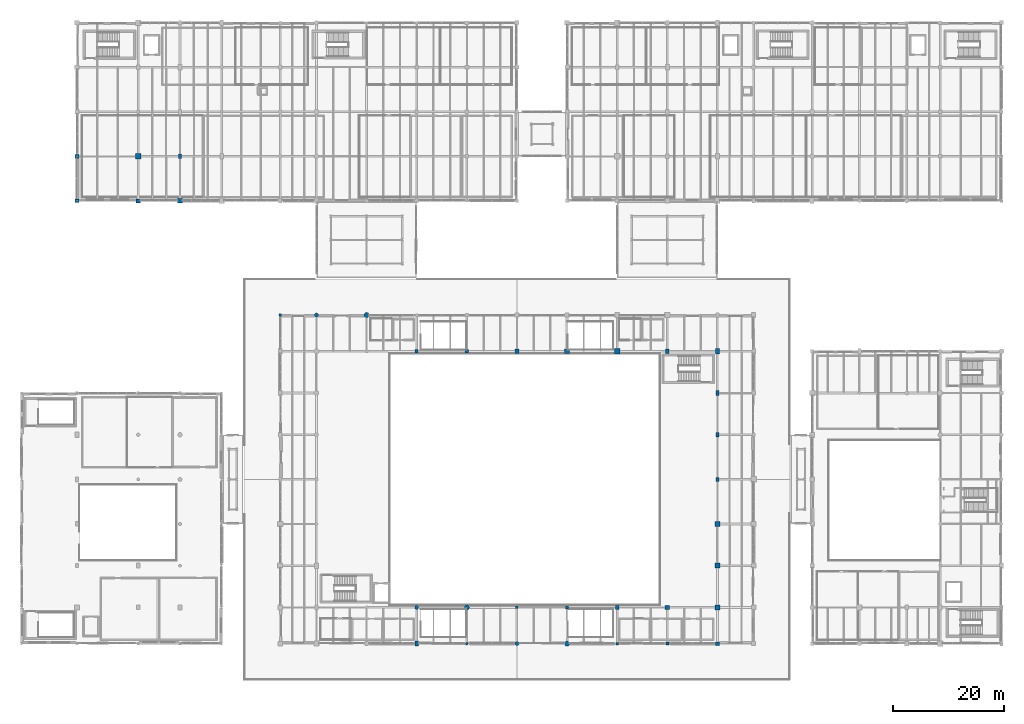
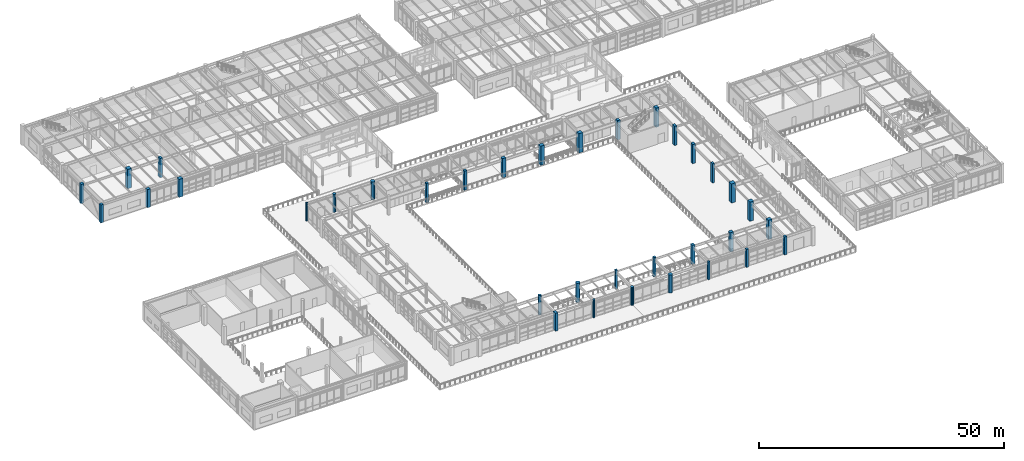
# One storey, part 5 of 200: 35 columns.
"""IFC4 building model written with IfcOpenShell, lengths in metres."""

from ifc_helpers import new_model, si_unit, direction, frame, origin, origin_2d, place, context, subcontext, project, spatial, rectangle, circle, extrude, material, material_profile, profile_set, type_object, element, save


model = new_model("IFC4")

# Units and contexts
model_context = context("Model", 3, precision=1e-05, world=origin(), true_north=direction((0.0, 1.0)))
body_context = subcontext(model_context, "Body", "Model", "MODEL_VIEW")
ifc_project = project(units=[si_unit("LENGTHUNIT", "METRE"), si_unit("AREAUNIT", "SQUARE_METRE"), si_unit("VOLUMEUNIT", "CUBIC_METRE"), si_unit("PLANEANGLEUNIT", "RADIAN"), si_unit("MASSUNIT", "GRAM", prefix="KILO"), si_unit("THERMODYNAMICTEMPERATUREUNIT", "KELVIN"), si_unit("POWERUNIT", "WATT")], contexts=[model_context])

# Site, building, storey
site_placement = place(None, origin())
site = spatial("IfcSite", under=ifc_project, at=site_placement, CompositionType="ELEMENT")
building_placement = place(site_placement, origin())
building = spatial("IfcBuilding", under=site, at=building_placement, Name="Tepalcoro Natatorium and Aquatics Centre", CompositionType="ELEMENT")
storey_placement = place(building_placement, frame((0.0, 0.0, 5.39990234375)))
storey = spatial("IfcBuildingStorey", under=building, at=storey_placement, Name="L01", CompositionType="ELEMENT", Elevation=5.39990234375)

# Columns
ifc_material = material(Name="Concrete C40/50 (fc 40 MPa)", Category="concrete")
ifc_material_profile_1 = material_profile(ifc_material, rectangle(XDim=0.449951171875, YDim=0.449951171875, at=origin_2d()), Name="RC450x450")
ifc_profile_set_1 = profile_set([ifc_material_profile_1], Name="Concrete C40/50 (fc 40 MPa)")
column_type_1 = type_object("IfcColumnType", Name="COL_RC_450x450", PredefinedType="COLUMN", material=ifc_profile_set_1)
column_1_placement = place(storey_placement, frame((89.0, 13.0, 0.0), z_axis=(0.0, 0.0, 1.0), x_axis=(1.0, 0.0, 0.0)))
element("IfcColumn", 1, at=column_1_placement, inside=storey, type_object=column_type_1, Name="V1 L01 Grid Column (89.0, 13.0)", PredefinedType="COLUMN", context=body_context, shape_type="SweptSolid", body=[
    extrude(rectangle(XDim=0.449951171875, YDim=0.449951171875, at=origin_2d()), origin(), (0.0, 0.0, 1.0), 4.800048828125),
])
column_2_placement = place(storey_placement, frame((107.0, 6.5, 0.0), z_axis=(0.0, 0.0, 1.0), x_axis=(1.0, 0.0, 0.0)))
element("IfcColumn", 2, at=column_2_placement, inside=storey, type_object=column_type_1, Name="V1 L01 Grid Column (107.0, 6.5)", PredefinedType="COLUMN", context=body_context, shape_type="SweptSolid", body=[
    extrude(rectangle(XDim=0.449951171875, YDim=0.449951171875, at=origin_2d()), origin(), (0.0, 0.0, 1.0), 4.47998046875),
])
ifc_material_profile_2 = material_profile(ifc_material, rectangle(XDim=0.5, YDim=0.699951171875, at=origin_2d()), Name="RC500x700")
ifc_profile_set_2 = profile_set([ifc_material_profile_2], Name="Concrete C40/50 (fc 40 MPa)")
column_type_2 = type_object("IfcColumnType", Name="COL_RC_500x700", PredefinedType="COLUMN", material=ifc_profile_set_2)
column_3_placement = place(storey_placement, frame((125.0, 36.0, 0.0), z_axis=(0.0, 0.0, 1.0), x_axis=(1.0, 0.0, 0.0)))
element("IfcColumn", 3, at=column_3_placement, inside=storey, type_object=column_type_2, Name="V1 L01 Grid Column (125.0, 36.0)", PredefinedType="COLUMN", context=body_context, shape_type="SweptSolid", body=[
    extrude(rectangle(XDim=0.5, YDim=0.699951171875, at=origin_2d()), origin(), (0.0, 0.0, 1.0), 4.800048828125),
])
ifc_material_profile_3 = material_profile(ifc_material, rectangle(XDim=0.550048828125, YDim=0.550048828125, at=origin_2d()), Name="RC550x550")
ifc_profile_set_3 = profile_set([ifc_material_profile_3], Name="Concrete C40/50 (fc 40 MPa)")
column_type_3 = type_object("IfcColumnType", Name="COL_RC_550x550", PredefinedType="COLUMN", material=ifc_profile_set_3)
for number, where, z_axis, x_axis, name in (
    (4, (71.0, 59.0, 0.0), (0.0, 0.0, 1.0), (1.0, 0.0, 0.0), "V1 L01 Grid Column (71.0, 59.0)"),
    (5, (98.0, 13.0, 0.0), (0.0, 0.0, 1.0), (1.0, 0.0, 0.0), "V1 L01 Grid Column (98.0, 13.0)"),
):
    element("IfcColumn", number, at=place(storey_placement, frame(where, z_axis=z_axis, x_axis=x_axis)), inside=storey, type_object=column_type_3, Name=name, PredefinedType="COLUMN", context=body_context, shape_type="SweptSolid", body=[
        extrude(rectangle(XDim=0.550048828125, YDim=0.550048828125, at=origin_2d()), origin(), (0.0, 0.0, 1.0), 4.800048828125),
    ])
column_4_placement = place(storey_placement, frame((116.0, 6.5, 0.0), z_axis=(0.0, 0.0, 1.0), x_axis=(1.0, 0.0, 0.0)))
element("IfcColumn", 6, at=column_4_placement, inside=storey, type_object=column_type_3, Name="V1 L01 Grid Column (116.0, 6.5)", PredefinedType="COLUMN", context=body_context, shape_type="SweptSolid", body=[
    extrude(rectangle(XDim=0.550048828125, YDim=0.550048828125, at=origin_2d()), origin(), (0.0, 0.0, 1.0), 4.47998046875),
])
ifc_material_profile_4 = material_profile(ifc_material, rectangle(XDim=0.60009765625, YDim=0.800048828125, at=origin_2d()), Name="RC600x800")
ifc_profile_set_4 = profile_set([ifc_material_profile_4], Name="Concrete C40/50 (fc 40 MPa)")
column_type_4 = type_object("IfcColumnType", Name="COL_RC_600x800", PredefinedType="COLUMN", material=ifc_profile_set_4)
for number, where, z_axis, x_axis, name in (
    (7, (116.0, 59.0, 0.0), (0.0, 0.0, 1.0), (1.0, 0.0, 0.0), "V1 L01 Grid Column (116.0, 59.0)"),
    (8, (125.0, 44.0, 0.0), (0.0, 0.0, 1.0), (1.0, 0.0, 0.0), "V1 L01 Grid Column (125.0, 44.0)"),
    (9, (28.5, 94.0, 0.0), (0.0, 0.0, 1.0), (1.0, 0.0, 0.0), "V4 L01 Grid Column (28.5, 94.0)"),
):
    element("IfcColumn", number, at=place(storey_placement, frame(where, z_axis=z_axis, x_axis=x_axis)), inside=storey, type_object=column_type_4, Name=name, PredefinedType="COLUMN", context=body_context, shape_type="SweptSolid", body=[
        extrude(rectangle(XDim=0.60009765625, YDim=0.800048828125, at=origin_2d()), origin(), (0.0, 0.0, 1.0), 4.800048828125),
    ])
ifc_material_profile_5 = material_profile(ifc_material, rectangle(XDim=0.60009765625, YDim=0.89990234375, at=origin_2d()), Name="RC600x900")
ifc_profile_set_5 = profile_set([ifc_material_profile_5], Name="Concrete C40/50 (fc 40 MPa)")
column_type_5 = type_object("IfcColumnType", Name="COL_RC_600x900", PredefinedType="COLUMN", material=ifc_profile_set_5)
column_5_placement = place(storey_placement, frame((71.0, 6.5, 0.0), z_axis=(0.0, 0.0, 1.0), x_axis=(1.0, 0.0, 0.0)))
element("IfcColumn", 10, at=column_5_placement, inside=storey, type_object=column_type_5, Name="V1 L01 Grid Column (71.0, 6.5)", PredefinedType="COLUMN", context=body_context, shape_type="SweptSolid", body=[
    extrude(rectangle(XDim=0.60009765625, YDim=0.89990234375, at=origin_2d()), origin(), (0.0, 0.0, 1.0), 4.47998046875),
])
column_6_placement = place(storey_placement, frame((125.0, 51.5, 0.0), z_axis=(0.0, 0.0, 1.0), x_axis=(1.0, 0.0, 0.0)))
element("IfcColumn", 11, at=column_6_placement, inside=storey, type_object=column_type_5, Name="V1 L01 Grid Column (125.0, 51.5)", PredefinedType="COLUMN", context=body_context, shape_type="SweptSolid", body=[
    extrude(rectangle(XDim=0.60009765625, YDim=0.89990234375, at=origin_2d()), origin(), (0.0, 0.0, 1.0), 4.800048828125),
])
ifc_material_profile_6 = material_profile(ifc_material, rectangle(XDim=0.64990234375, YDim=0.64990234375, at=origin_2d()), Name="RC650x650")
ifc_profile_set_6 = profile_set([ifc_material_profile_6], Name="Concrete C40/50 (fc 40 MPa)")
column_type_6 = type_object("IfcColumnType", Name="COL_RC_650x650", PredefinedType="COLUMN", material=ifc_profile_set_6)
for number, where, z_axis, x_axis, name in (
    (12, (80.0, 59.0, 0.0), (0.0, 0.0, 1.0), (1.0, 0.0, 0.0), "V1 L01 Grid Column (80.0, 59.0)"),
    (13, (107.0, 13.0, 0.0), (0.0, 0.0, 1.0), (1.0, 0.0, 0.0), "V1 L01 Grid Column (107.0, 13.0)"),
):
    element("IfcColumn", number, at=place(storey_placement, frame(where, z_axis=z_axis, x_axis=x_axis)), inside=storey, type_object=column_type_6, Name=name, PredefinedType="COLUMN", context=body_context, shape_type="SweptSolid", body=[
        extrude(rectangle(XDim=0.64990234375, YDim=0.64990234375, at=origin_2d()), origin(), (0.0, 0.0, 1.0), 4.800048828125),
    ])
column_7_placement = place(storey_placement, frame((125.0, 6.5, 0.0), z_axis=(0.0, 0.0, 1.0), x_axis=(1.0, 0.0, 0.0)))
element("IfcColumn", 14, at=column_7_placement, inside=storey, type_object=column_type_6, Name="V1 L01 Grid Column (125.0, 6.5)", PredefinedType="COLUMN", context=body_context, shape_type="SweptSolid", body=[
    extrude(rectangle(XDim=0.64990234375, YDim=0.64990234375, at=origin_2d()), origin(), (0.0, 0.0, 1.0), 4.47998046875),
])
column_8_placement = place(storey_placement, frame((10.0, 86.0, 0.0), z_axis=(0.0, 0.0, 1.0), x_axis=(1.0, 0.0, 0.0)))
element("IfcColumn", 15, at=column_8_placement, inside=storey, type_object=column_type_6, Name="V4 L01 Grid Column (10.0, 86.0)", PredefinedType="COLUMN", context=body_context, shape_type="SweptSolid", body=[
    extrude(rectangle(XDim=0.64990234375, YDim=0.64990234375, at=origin_2d()), origin(), (0.0, 0.0, 1.0), 4.5),
])
ifc_material_profile_7 = material_profile(ifc_material, rectangle(XDim=0.699951171875, YDim=0.699951171875, at=origin_2d()), Name="RC700x700")
ifc_profile_set_7 = profile_set([ifc_material_profile_7], Name="Concrete C40/50 (fc 40 MPa)")
column_type_7 = type_object("IfcColumnType", Name="COL_RC_700x700", PredefinedType="COLUMN", material=ifc_profile_set_7)
column_9_placement = place(storey_placement, frame((10.0, 94.0, 0.0), z_axis=(0.0, 0.0, 1.0), x_axis=(1.0, 0.0, 0.0)))
element("IfcColumn", 16, at=column_9_placement, inside=storey, type_object=column_type_7, Name="V4 L01 Grid Column (10.0, 94.0)", PredefinedType="COLUMN", context=body_context, shape_type="SweptSolid", body=[
    extrude(rectangle(XDim=0.699951171875, YDim=0.699951171875, at=origin_2d()), origin(), (0.0, 0.0, 1.0), 4.800048828125),
])
ifc_material_profile_8 = material_profile(ifc_material, rectangle(XDim=0.699951171875, YDim=0.949951171875, at=origin_2d()), Name="RC700x950")
ifc_profile_set_8 = profile_set([ifc_material_profile_8], Name="Concrete C40/50 (fc 40 MPa)")
column_type_8 = type_object("IfcColumnType", Name="COL_RC_700x950", PredefinedType="COLUMN", material=ifc_profile_set_8)
column_10_placement = place(storey_placement, frame((125.0, 59.0, 0.0), z_axis=(0.0, 0.0, 1.0), x_axis=(1.0, 0.0, 0.0)))
element("IfcColumn", 17, at=column_10_placement, inside=storey, type_object=column_type_8, Name="V1 L01 Grid Column (125.0, 59.0)", PredefinedType="COLUMN", context=body_context, shape_type="SweptSolid", body=[
    extrude(rectangle(XDim=0.699951171875, YDim=0.949951171875, at=origin_2d()), origin(), (0.0, 0.0, 1.0), 4.800048828125),
])
ifc_material_profile_9 = material_profile(ifc_material, rectangle(XDim=0.75, YDim=0.75, at=origin_2d()), Name="RC750x750")
ifc_profile_set_9 = profile_set([ifc_material_profile_9], Name="Concrete C40/50 (fc 40 MPa)")
column_type_9 = type_object("IfcColumnType", Name="COL_RC_750x750", PredefinedType="COLUMN", material=ifc_profile_set_9)
for number, where, z_axis, x_axis, name in (
    (18, (89.0, 59.0, 0.0), (0.0, 0.0, 1.0), (1.0, 0.0, 0.0), "V1 L01 Grid Column (89.0, 59.0)"),
    (19, (116.0, 13.0, 0.0), (0.0, 0.0, 1.0), (1.0, 0.0, 0.0), "V1 L01 Grid Column (116.0, 13.0)"),
):
    element("IfcColumn", number, at=place(storey_placement, frame(where, z_axis=z_axis, x_axis=x_axis)), inside=storey, type_object=column_type_9, Name=name, PredefinedType="COLUMN", context=body_context, shape_type="SweptSolid", body=[
        extrude(rectangle(XDim=0.75, YDim=0.75, at=origin_2d()), origin(), (0.0, 0.0, 1.0), 4.800048828125),
    ])
column_11_placement = place(storey_placement, frame((21.0, 86.0, 0.0), z_axis=(0.0, 0.0, 1.0), x_axis=(1.0, 0.0, 0.0)))
element("IfcColumn", 20, at=column_11_placement, inside=storey, type_object=column_type_9, Name="V4 L01 Grid Column (21.0, 86.0)", PredefinedType="COLUMN", context=body_context, shape_type="SweptSolid", body=[
    extrude(rectangle(XDim=0.75, YDim=0.75, at=origin_2d()), origin(), (0.0, 0.0, 1.0), 4.5),
])
ifc_material_profile_10 = material_profile(ifc_material, rectangle(XDim=0.85009765625, YDim=0.85009765625, at=origin_2d()), Name="RC850x850")
ifc_profile_set_10 = profile_set([ifc_material_profile_10], Name="Concrete C40/50 (fc 40 MPa)")
column_type_10 = type_object("IfcColumnType", Name="COL_RC_850x850", PredefinedType="COLUMN", material=ifc_profile_set_10)
for number, where, z_axis, x_axis, name in (
    (21, (98.0, 59.0, 0.0), (0.0, 0.0, 1.0), (1.0, 0.0, 0.0), "V1 L01 Grid Column (98.0, 59.0)"),
    (22, (125.0, 13.0, 0.0), (0.0, 0.0, 1.0), (1.0, 0.0, 0.0), "V1 L01 Grid Column (125.0, 13.0)"),
):
    element("IfcColumn", number, at=place(storey_placement, frame(where, z_axis=z_axis, x_axis=x_axis)), inside=storey, type_object=column_type_10, Name=name, PredefinedType="COLUMN", context=body_context, shape_type="SweptSolid", body=[
        extrude(rectangle(XDim=0.85009765625, YDim=0.85009765625, at=origin_2d()), origin(), (0.0, 0.0, 1.0), 4.800048828125),
    ])
column_12_placement = place(storey_placement, frame((28.5, 86.0, 0.0), z_axis=(0.0, 0.0, 1.0), x_axis=(1.0, 0.0, 0.0)))
element("IfcColumn", 23, at=column_12_placement, inside=storey, type_object=column_type_10, Name="V4 L01 Grid Column (28.5, 86.0)", PredefinedType="COLUMN", context=body_context, shape_type="SweptSolid", body=[
    extrude(rectangle(XDim=0.85009765625, YDim=0.85009765625, at=origin_2d()), origin(), (0.0, 0.0, 1.0), 4.5),
])
ifc_material_profile_11 = material_profile(ifc_material, rectangle(XDim=0.89990234375, YDim=0.89990234375, at=origin_2d()), Name="RC900x900")
ifc_profile_set_11 = profile_set([ifc_material_profile_11], Name="Concrete C40/50 (fc 40 MPa)")
column_type_11 = type_object("IfcColumnType", Name="COL_RC_900x900", PredefinedType="COLUMN", material=ifc_profile_set_11)
column_13_placement = place(storey_placement, frame((125.0, 20.5, 0.0), z_axis=(0.0, 0.0, 1.0), x_axis=(1.0, 0.0, 0.0)))
element("IfcColumn", 24, at=column_13_placement, inside=storey, type_object=column_type_11, Name="V1 L01 Grid Column (125.0, 20.5)", PredefinedType="COLUMN", context=body_context, shape_type="SweptSolid", body=[
    extrude(rectangle(XDim=0.89990234375, YDim=0.89990234375, at=origin_2d()), origin(), (0.0, 0.0, 1.0), 4.800048828125),
])
ifc_material_profile_12 = material_profile(ifc_material, rectangle(XDim=0.949951171875, YDim=0.949951171875, at=origin_2d()), Name="RC950x950")
ifc_profile_set_12 = profile_set([ifc_material_profile_12], Name="Concrete C40/50 (fc 40 MPa)")
column_type_12 = type_object("IfcColumnType", Name="COL_RC_950x950", PredefinedType="COLUMN", material=ifc_profile_set_12)
for number, where, z_axis, x_axis, name in (
    (25, (107.0, 59.0, 0.0), (0.0, 0.0, 1.0), (1.0, 0.0, 0.0), "V1 L01 Grid Column (107.0, 59.0)"),
    (26, (125.0, 28.0, 0.0), (0.0, 0.0, 1.0), (1.0, 0.0, 0.0), "V1 L01 Grid Column (125.0, 28.0)"),
    (27, (21.0, 94.0, 0.0), (0.0, 0.0, 1.0), (1.0, 0.0, 0.0), "V4 L01 Grid Column (21.0, 94.0)"),
):
    element("IfcColumn", number, at=place(storey_placement, frame(where, z_axis=z_axis, x_axis=x_axis)), inside=storey, type_object=column_type_12, Name=name, PredefinedType="COLUMN", context=body_context, shape_type="SweptSolid", body=[
        extrude(rectangle(XDim=0.949951171875, YDim=0.949951171875, at=origin_2d()), origin(), (0.0, 0.0, 1.0), 4.800048828125),
    ])
ifc_material_profile_13 = material_profile(ifc_material, circle(Radius=0.25, at=origin_2d()), Name="RCD500")
ifc_profile_set_13 = profile_set([ifc_material_profile_13], Name="Concrete C40/50 (fc 40 MPa)")
column_type_13 = type_object("IfcColumnType", Name="COL_RC_D500", PredefinedType="COLUMN", material=ifc_profile_set_13)
for number, where, z_axis, x_axis, name in (
    (28, (46.5, 65.5, 0.0), (0.0, 0.0, 1.0), (1.0, 0.0, 0.0), "V1 L01 Grid Column (46.5, 65.5)"),
    (29, (80.0, 6.5, 0.0), (0.0, 0.0, 1.0), (1.0, 0.0, 0.0), "V1 L01 Grid Column (80.0, 6.5)"),
):
    element("IfcColumn", number, at=place(storey_placement, frame(where, z_axis=z_axis, x_axis=x_axis)), inside=storey, type_object=column_type_13, Name=name, PredefinedType="COLUMN", context=body_context, shape_type="SweptSolid", body=[
        extrude(circle(Radius=0.25, at=origin_2d()), origin(), (0.0, 0.0, 1.0), 4.47998046875),
    ])
ifc_material_profile_14 = material_profile(ifc_material, circle(Radius=0.35009765625, at=origin_2d()), Name="RCD700")
ifc_profile_set_14 = profile_set([ifc_material_profile_14], Name="Concrete C40/50 (fc 40 MPa)")
column_type_14 = type_object("IfcColumnType", Name="COL_RC_D700", PredefinedType="COLUMN", material=ifc_profile_set_14)
column_14_placement = place(storey_placement, frame((53.0, 65.5, 0.0), z_axis=(0.0, 0.0, 1.0), x_axis=(1.0, 0.0, 0.0)))
element("IfcColumn", 30, at=column_14_placement, inside=storey, type_object=column_type_14, Name="V1 L01 Grid Column (53.0, 65.5)", PredefinedType="COLUMN", context=body_context, shape_type="SweptSolid", body=[
    extrude(circle(Radius=0.35009765625, at=origin_2d()), origin(), (0.0, 0.0, 1.0), 4.47998046875),
])
column_15_placement = place(storey_placement, frame((71.0, 13.0, 0.0), z_axis=(0.0, 0.0, 1.0), x_axis=(1.0, 0.0, 0.0)))
element("IfcColumn", 31, at=column_15_placement, inside=storey, type_object=column_type_14, Name="V1 L01 Grid Column (71.0, 13.0)", PredefinedType="COLUMN", context=body_context, shape_type="SweptSolid", body=[
    extrude(circle(Radius=0.35009765625, at=origin_2d()), origin(), (0.0, 0.0, 1.0), 4.800048828125),
])
column_16_placement = place(storey_placement, frame((89.0, 6.5, 0.0), z_axis=(0.0, 0.0, 1.0), x_axis=(1.0, 0.0, 0.0)))
element("IfcColumn", 32, at=column_16_placement, inside=storey, type_object=column_type_14, Name="V1 L01 Grid Column (89.0, 6.5)", PredefinedType="COLUMN", context=body_context, shape_type="SweptSolid", body=[
    extrude(circle(Radius=0.35009765625, at=origin_2d()), origin(), (0.0, 0.0, 1.0), 4.47998046875),
])
ifc_material_profile_15 = material_profile(ifc_material, circle(Radius=0.449951171875, at=origin_2d()), Name="RCD900")
ifc_profile_set_15 = profile_set([ifc_material_profile_15], Name="Concrete C40/50 (fc 40 MPa)")
column_type_15 = type_object("IfcColumnType", Name="COL_RC_D900", PredefinedType="COLUMN", material=ifc_profile_set_15)
column_17_placement = place(storey_placement, frame((62.0, 65.5, 0.0), z_axis=(0.0, 0.0, 1.0), x_axis=(1.0, 0.0, 0.0)))
element("IfcColumn", 33, at=column_17_placement, inside=storey, type_object=column_type_15, Name="V1 L01 Grid Column (62.0, 65.5)", PredefinedType="COLUMN", context=body_context, shape_type="SweptSolid", body=[
    extrude(circle(Radius=0.449951171875, at=origin_2d()), origin(), (0.0, 0.0, 1.0), 4.47998046875),
])
column_18_placement = place(storey_placement, frame((80.0, 13.0, 0.0), z_axis=(0.0, 0.0, 1.0), x_axis=(1.0, 0.0, 0.0)))
element("IfcColumn", 34, at=column_18_placement, inside=storey, type_object=column_type_15, Name="V1 L01 Grid Column (80.0, 13.0)", PredefinedType="COLUMN", context=body_context, shape_type="SweptSolid", body=[
    extrude(circle(Radius=0.449951171875, at=origin_2d()), origin(), (0.0, 0.0, 1.0), 4.800048828125),
])
column_19_placement = place(storey_placement, frame((98.0, 6.5, 0.0), z_axis=(0.0, 0.0, 1.0), x_axis=(1.0, 0.0, 0.0)))
element("IfcColumn", 35, at=column_19_placement, inside=storey, type_object=column_type_15, Name="V1 L01 Grid Column (98.0, 6.5)", PredefinedType="COLUMN", context=body_context, shape_type="SweptSolid", body=[
    extrude(circle(Radius=0.449951171875, at=origin_2d()), origin(), (0.0, 0.0, 1.0), 4.47998046875),
])

save(model, "model.ifc")
